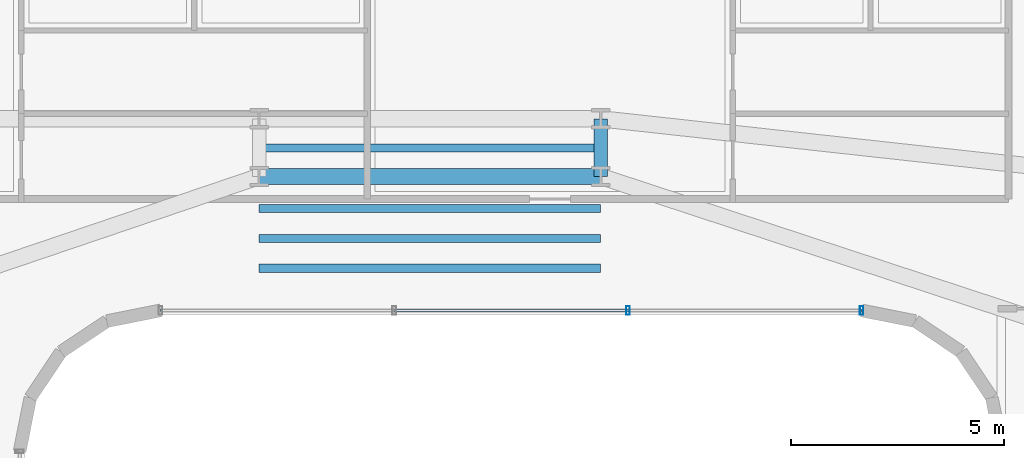
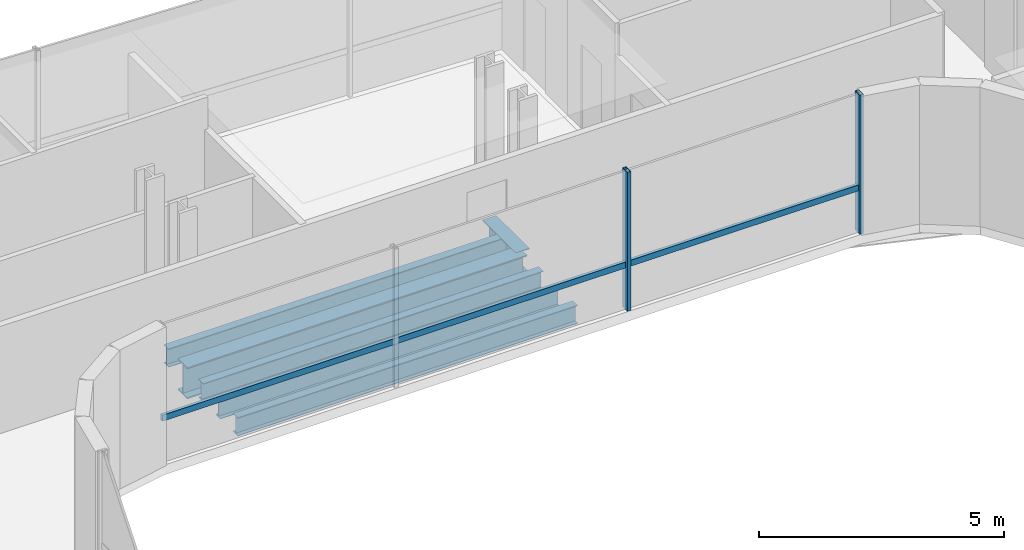
# One storey, part 14 of 36: 6 beams, 3 members, 1 element without a shape of its own.
"""IFC4 building model written with IfcOpenShell, lengths in metres."""

from ifc_helpers import new_model, si_unit, direction, frame, origin, origin_2d, place, context, subcontext, project, spatial, hollow_rectangle, i_section, extrude, source, transform, mapped, material, material_profile, profile_set, type_object, element, aggregate, save


model = new_model("IFC4")

# Units and contexts
model_context = context("Model", 3, precision=1e-05, world=origin(), true_north=direction((0.0, 1.0)))
body_context = subcontext(model_context, "Body", "Model", "MODEL_VIEW")
ifc_project = project(units=[si_unit("LENGTHUNIT", "METRE"), si_unit("AREAUNIT", "SQUARE_METRE"), si_unit("VOLUMEUNIT", "CUBIC_METRE"), si_unit("PLANEANGLEUNIT", "RADIAN"), si_unit("MASSUNIT", "GRAM", prefix="KILO")], contexts=[model_context])

# Site, building, storey
site_placement = place(None, origin())
site = spatial("IfcSite", under=ifc_project, at=site_placement, CompositionType="ELEMENT")
building_placement = place(site_placement, origin())
building = spatial("IfcBuilding", under=site, at=building_placement, Name="Valdorenza Pilgrim Sanctuary Tower", CompositionType="ELEMENT")
storey_placement = place(building_placement, frame((0.0, 0.0, 109.39990234375)))
storey = spatial("IfcBuildingStorey", under=building, at=storey_placement, Name="L27", CompositionType="ELEMENT", Elevation=109.39990234375)

# Beams
ifc_material_1 = material(Name="Steel ASTM A992 Grade 50", Category="steel")
ifc_material_profile_1 = material_profile(ifc_material_1, i_section(OverallWidth=0.323974609375, OverallDepth=0.611083984375, WebThickness=0.0126953125, FlangeThickness=0.01904296875, at=origin_2d()), Name="W24X104")
ifc_profile_set_1 = profile_set([ifc_material_profile_1], Name="Steel ASTM A992 Grade 50")
beam_type_1 = type_object("IfcBeamType", Name="STR-BM-GRD-W24B", PredefinedType="BEAM", material=ifc_profile_set_1)
shared_shape_1 = source(origin(), body_context, "Body", "SweptSolid", [
    extrude(i_section(OverallWidth=0.323974609375, OverallDepth=0.611083984375, WebThickness=0.0126953125, FlangeThickness=0.01904296875, at=origin_2d()), origin(), (0.0, 0.0, 1.0), 1.35009765625),
])
beam_1_placement = place(storey_placement, frame((4.0, 13.449951171875, -0.54541015625), z_axis=(0.0, 1.0, 0.0), x_axis=(-1.0, 0.0, 0.0)))
element("IfcBeam", 1, at=beam_1_placement, inside=storey, type_object=beam_type_1, Name="L27 Floor Girder KNK-TIE-E", PredefinedType="BEAM", context=body_context, shape_type="MappedRepresentation", body=[
    mapped(shared_shape_1, transform((0.0, 0.0, 0.0), x_axis=(1.0, 0.0, 0.0), y_axis=(0.0, 1.0, 0.0), z_axis=(0.0, 0.0, 1.0), scale=1.0)),
])
ifc_material_profile_2 = material_profile(ifc_material_1, i_section(OverallWidth=0.382080078125, OverallDepth=0.779052734375, WebThickness=0.01806640625, FlangeThickness=0.030029296875, at=origin_2d()), Name="W30X191")
ifc_profile_set_2 = profile_set([ifc_material_profile_2], Name="Steel ASTM A992 Grade 50")
beam_type_2 = type_object("IfcBeamType", Name="STR-BM-GRD-W30", PredefinedType="BEAM", material=ifc_profile_set_2)
shared_shape_2 = source(origin(), body_context, "Body", "SweptSolid", [
    extrude(i_section(OverallWidth=0.382080078125, OverallDepth=0.779052734375, WebThickness=0.01806640625, FlangeThickness=0.030029296875, at=origin_2d()), origin(), (0.0, 0.0, 1.0), 8.0),
])
beam_2_placement = place(storey_placement, frame((-4.0, 13.449951171875, -0.62939453125), z_axis=(1.0, 0.0, 0.0), x_axis=(0.0, 1.0, 0.0)))
element("IfcBeam", 2, at=beam_2_placement, inside=storey, type_object=beam_type_2, Name="L27 Floor Girder KNK-G2", PredefinedType="BEAM", context=body_context, shape_type="MappedRepresentation", body=[
    mapped(shared_shape_2, transform((0.0, 0.0, 0.0), x_axis=(1.0, 0.0, 0.0), y_axis=(0.0, 1.0, 0.0), z_axis=(0.0, 0.0, 1.0), scale=1.0)),
])
ifc_material_profile_3 = material_profile(ifc_material_1, i_section(OverallWidth=0.19091796875, OverallDepth=0.45703125, WebThickness=0.009033203125, FlangeThickness=0.014404296875, at=origin_2d()), Name="W18X50")
ifc_profile_set_3 = profile_set([ifc_material_profile_3], Name="Steel ASTM A992 Grade 50")
beam_type_3 = type_object("IfcBeamType", Name="STR-BM-JST-W18B", PredefinedType="JOIST", material=ifc_profile_set_3)
shared_shape_3 = source(origin(), body_context, "Body", "SweptSolid", [
    extrude(i_section(OverallWidth=0.19091796875, OverallDepth=0.45703125, WebThickness=0.009033203125, FlangeThickness=0.014404296875, at=origin_2d()), origin(), (0.0, 0.0, 1.0), 8.0),
])
for number, where, z_axis, x_axis, name in (
    (3, (-4.0, 11.300048828125, -0.468505859375), (1.0, 0.0, 0.0), (0.0, 1.0, 0.0), "L27 Knuckle Composite Joist JST-KNK-1"),
    (4, (-4.0, 12.0, -0.468505859375), (1.0, 0.0, 0.0), (0.0, 1.0, 0.0), "L27 Knuckle Composite Joist JST-KNK-2"),
    (5, (-4.0, 12.699951171875, -0.468505859375), (1.0, 0.0, 0.0), (0.0, 1.0, 0.0), "L27 Knuckle Composite Joist JST-KNK-3"),
    (6, (-4.0, 14.1201171875, -0.468505859375), (1.0, 0.0, 0.0), (0.0, 1.0, 0.0), "L27 Knuckle Composite Joist JST-KNK-4"),
):
    element("IfcBeam", number, at=place(storey_placement, frame(where, z_axis=z_axis, x_axis=x_axis)), inside=storey, type_object=beam_type_3, Name=name, PredefinedType="JOIST", context=body_context, shape_type="MappedRepresentation", body=[
        mapped(shared_shape_3, transform((0.0, 0.0, 0.0), x_axis=(1.0, 0.0, 0.0), y_axis=(0.0, 1.0, 0.0), z_axis=(0.0, 0.0, 1.0), scale=1.0)),
    ])

# Curtain wall, members
ifc_material_2 = material(Name="Curtain-wall IGU glazing", Category="glass")
curtain_wall_type = type_object("IfcCurtainWallType", Name="CW-SYS-02", PredefinedType="NOTDEFINED", material=ifc_material_2)
curtain_wall_placement = place(storey_placement, origin())
curtain_wall = element("IfcCurtainWall", 7, at=curtain_wall_placement, inside=storey, type_object=curtain_wall_type, Name="L27 Curtain Wall CW-L27-1-36", PredefinedType="NOTDEFINED")
ifc_material_3 = material(Name="Anodised aluminium AW-6060", Category="aluminium")
ifc_material_profile_4 = material_profile(ifc_material_3, hollow_rectangle(XDim=0.074951171875, YDim=0.14990234375, WallThickness=0.00390625, at=origin_2d()), Name="ALU-T 150x75x4")
ifc_profile_set_4 = profile_set([ifc_material_profile_4], Name="Anodised aluminium AW-6060")
member_type_1 = type_object("IfcMemberType", Name="CW-TRN-02", PredefinedType="USERDEFINED", material=ifc_profile_set_4)
shared_shape_4 = source(origin(), body_context, "Body", "SweptSolid", [
    extrude(hollow_rectangle(XDim=0.074951171875, YDim=0.14990234375, WallThickness=0.00390625, at=origin_2d()), origin(), (0.0, 0.0, 1.0), 16.421630859375),
])
member_1_placement = place(storey_placement, frame((10.11083984375, 10.31005859375, 1.1201171875), z_axis=(-1.0, 0.0, 0.0), x_axis=(0.0, -1.0, 0.0)))
member_1 = element("IfcMember", 8, at=member_1_placement, type_object=member_type_1, Name="CW-L27-1-36 Transom 1", ObjectType="TRANSOM", PredefinedType="USERDEFINED", context=body_context, shape_type="MappedRepresentation", body=[
    mapped(shared_shape_4, transform((0.0, 0.0, 0.0), x_axis=(1.0, 0.0, 0.0), y_axis=(0.0, 1.0, 0.0), z_axis=(0.0, 0.0, 1.0), scale=1.0)),
])
ifc_material_profile_5 = material_profile(ifc_material_3, hollow_rectangle(XDim=0.0849609375, YDim=0.199951171875, WallThickness=0.0048828125, at=origin_2d()), Name="ALU-M 200x85x5")
ifc_profile_set_5 = profile_set([ifc_material_profile_5], Name="Anodised aluminium AW-6060")
member_type_2 = type_object("IfcMemberType", Name="CW-MUL-02", PredefinedType="MULLION", material=ifc_profile_set_5)
shared_shape_5 = source(origin(), body_context, "Body", "SweptSolid", [
    extrude(hollow_rectangle(XDim=0.0849609375, YDim=0.199951171875, WallThickness=0.0048828125, at=origin_2d()), origin(), (0.0, 0.0, 1.0), 3.460205078125),
])
member_2_placement = place(storey_placement, frame((10.11083984375, 10.31005859375, 0.0), z_axis=(0.0, 0.0, 1.0), x_axis=(-1.0, 0.0, 0.0)))
member_2 = element("IfcMember", 9, at=member_2_placement, type_object=member_type_2, Name="CW-L27-1-36 Mullion 1", PredefinedType="MULLION", context=body_context, shape_type="MappedRepresentation", body=[
    mapped(shared_shape_5, transform((0.0, 0.0, 0.0), x_axis=(1.0, 0.0, 0.0), y_axis=(0.0, 1.0, 0.0), z_axis=(0.0, 0.0, 1.0), scale=1.0)),
])
member_3_placement = place(storey_placement, frame((4.636962890625, 10.31005859375, 0.0), z_axis=(0.0, 0.0, 1.0), x_axis=(-1.0, 0.0, 0.0)))
member_3 = element("IfcMember", 10, at=member_3_placement, type_object=member_type_2, Name="CW-L27-1-36 Mullion 2", PredefinedType="MULLION", context=body_context, shape_type="MappedRepresentation", body=[
    mapped(shared_shape_5, transform((0.0, 0.0, 0.0), x_axis=(1.0, 0.0, 0.0), y_axis=(0.0, 1.0, 0.0), z_axis=(0.0, 0.0, 1.0), scale=1.0)),
])
aggregate(curtain_wall, [member_2, member_3, member_1])

save(model, "model.ifc")
